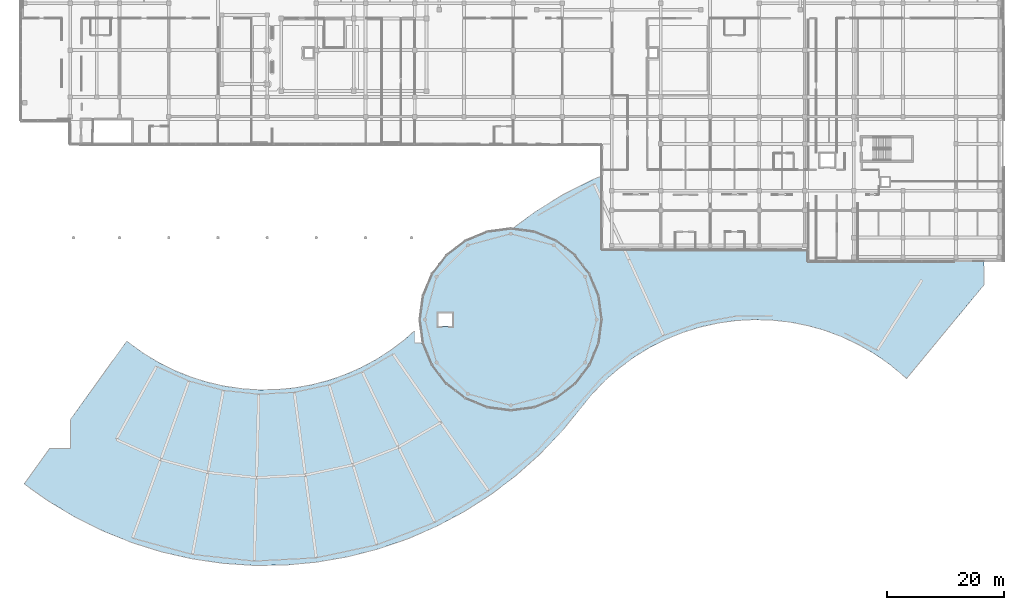
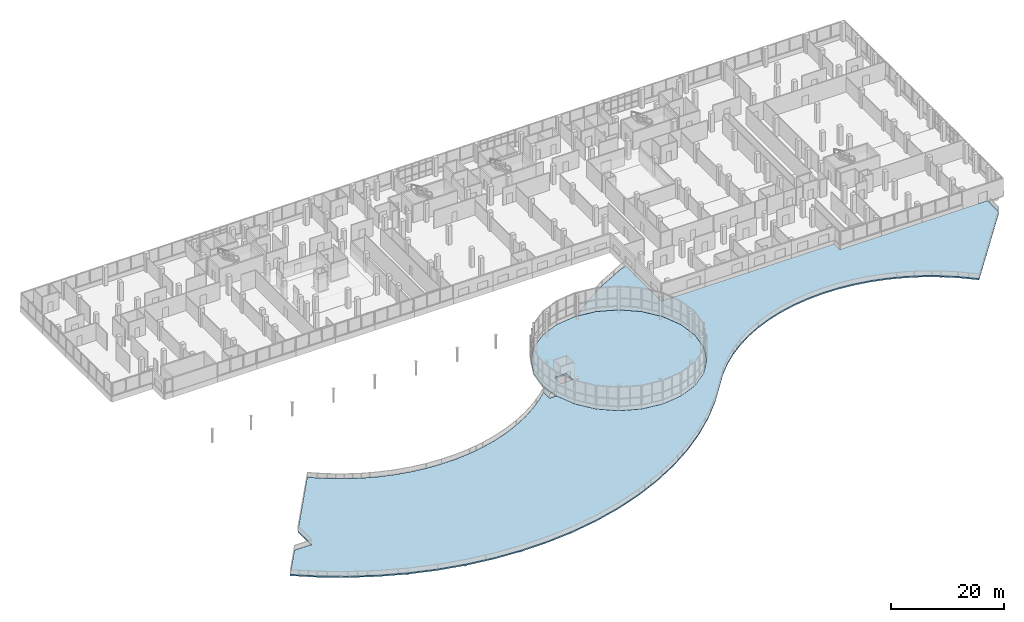
# One storey, part 74 of 101: 2 slabs.
"""IFC4 building model written with IfcOpenShell, lengths in metres."""

from ifc_helpers import new_model, si_unit, direction, frame, origin, place, context, subcontext, project, spatial, polyline, outline, extrude, material, layer, layer_set, type_object, element, save


model = new_model("IFC4")

# Units and contexts
model_context = context("Model", 3, precision=1e-05, world=origin(), true_north=direction((0.0, 1.0)))
body_context = subcontext(model_context, "Body", "Model", "MODEL_VIEW")
ifc_project = project(units=[si_unit("LENGTHUNIT", "METRE"), si_unit("AREAUNIT", "SQUARE_METRE"), si_unit("VOLUMEUNIT", "CUBIC_METRE"), si_unit("PLANEANGLEUNIT", "RADIAN"), si_unit("MASSUNIT", "GRAM", prefix="KILO")], contexts=[model_context])

# Site, building, storey
site_placement = place(None, origin())
site = spatial("IfcSite", under=ifc_project, at=site_placement, CompositionType="ELEMENT")
building_placement = place(site_placement, origin())
building = spatial("IfcBuilding", under=site, at=building_placement, Name="Selatvlak General Hospital", CompositionType="ELEMENT")
storey_placement = place(building_placement, frame((0.0, 0.0, 19.199951171875)))
storey = spatial("IfcBuildingStorey", under=building, at=storey_placement, Name="L04", CompositionType="ELEMENT", Elevation=19.199951171875)

# Slabs
ifc_material = material(Name="Concrete C40/50", Category="concrete")
ifc_layer_1 = layer(ifc_material, 0.304931640625, Name="Concrete C40/50", Category="concrete")
ifc_layer_set_1 = layer_set([ifc_layer_1], Name="Concrete C40/50")
slab_type_1 = type_object("IfcSlabType", Name="SLAB-SL-FL4", PredefinedType="FLOOR", material=ifc_layer_set_1)
slab_1_placement = place(storey_placement, frame((0.0, 0.0, -0.304931640625)))
element("IfcSlab", 1, at=slab_1_placement, inside=storey, type_object=slab_type_1, Name="L04 V1 structural slab", PredefinedType="FLOOR", context=body_context, shape_type="SweptSolid", body=[
    extrude(outline(polyline([(112.971923828125, 49.988037109375), (111.423095703125, 46.25), (108.9599609375, 43.0400390625), (105.75, 40.576904296875), (102.011962890625, 39.028076171875), (98.0, 38.5), (93.988037109375, 39.028076171875), (90.25, 40.576904296875), (87.0400390625, 43.0400390625), (84.576904296875, 46.25), (83.028076171875, 49.988037109375), (82.5, 54.0), (83.028076171875, 58.011962890625), (84.576904296875, 61.75), (87.0400390625, 64.9599609375), (90.25, 67.423095703125), (93.988037109375, 68.971923828125), (98.0, 69.5), (102.011962890625, 68.971923828125), (105.75, 67.423095703125), (108.9599609375, 64.9599609375), (111.423095703125, 61.75), (112.971923828125, 58.011962890625), (113.5, 54.0), (112.971923828125, 49.988037109375)]), holes=[polyline([(88.0, 55.10009765625), (85.60009765625, 55.10009765625), (85.60009765625, 52.89990234375), (88.0, 52.89990234375), (88.0, 55.10009765625)])]), origin(), (0.0, 0.0, 1.0), 0.304931640625),
])
ifc_layer_2 = layer(ifc_material, 0.2900390625, Name="Concrete C40/50", Category="concrete")
ifc_layer_set_2 = layer_set([ifc_layer_2], Name="Concrete C40/50")
slab_type_2 = type_object("IfcSlabType", Name="SLAB-SL-RF4", PredefinedType="ROOF", material=ifc_layer_set_2)
slab_2_placement = place(storey_placement, frame((0.0, 0.0, -0.2900390625)))
element("IfcSlab", 2, at=slab_2_placement, inside=storey, type_object=slab_type_2, Name="L04 roof slab ROOF-V6-TERR-1", PredefinedType="ROOF", context=body_context, shape_type="SweptSolid", body=[
    extrude(outline(polyline([(54.988037109375, 42.012939453125), (57.967041015625, 42.051025390625), (60.93603515625, 42.325927734375), (63.873046875, 42.8359375), (66.763916015625, 43.5791015625), (69.58203125, 44.5458984375), (72.31396484375, 45.735107421875), (74.947021484375, 47.138916015625), (77.4580078125, 48.74609375), (79.83203125, 50.547119140625), (81.4599609375, 52.0), (81.60009765625, 52.0), (81.60009765625, 50.0), (83.01806640625, 50.0), (84.570068359375, 46.2470703125), (87.033935546875, 43.034912109375), (90.2451171875, 40.571044921875), (93.985107421875, 39.02099609375), (97.9990234375, 38.491943359375), (102.012939453125, 39.02001953125), (105.7529296875, 40.570068359375), (108.965087890625, 43.033935546875), (111.428955078125, 46.2451171875), (112.97900390625, 49.985107421875), (113.508056640625, 53.9990234375), (112.97998046875, 58.012939453125), (111.429931640625, 61.7529296875), (108.966064453125, 64.965087890625), (105.7548828125, 67.428955078125), (102.014892578125, 68.97900390625), (98.216064453125, 69.47998046875), (102.152099609375, 72.39111328125), (106.91796875, 75.3369140625), (111.909912109375, 77.876953125), (113.592041015625, 78.56396484375), (113.592041015625, 66.0), (148.7919921875, 65.991943359375), (148.7919921875, 64.0), (178.800048828125, 63.991943359375), (178.800048828125, 59.947998046875), (165.56201171875, 43.9619140625), (162.695068359375, 46.35302734375), (160.14208984375, 48.131103515625), (157.448974609375, 49.693115234375), (154.635009765625, 51.02587890625), (151.722900390625, 52.12109375), (148.73095703125, 52.969970703125), (145.676025390625, 53.568115234375), (142.5810546875, 53.910888671875), (139.468994140625, 53.99609375), (136.364990234375, 53.823974609375), (133.281005859375, 53.39306640625), (130.243896484375, 52.708984375), (127.277099609375, 51.77587890625), (124.39599609375, 50.59912109375), (121.6201171875, 49.18701171875), (118.97412109375, 47.551025390625), (116.471923828125, 45.699951171875), (114.132080078125, 43.64892578125), (111.968994140625, 41.408935546875), (109.6240234375, 38.51904296875), (106.612060546875, 34.837890625), (102.904052734375, 30.9580078125), (98.89990234375, 27.386962890625), (94.6240234375, 24.14208984375), (90.10302734375, 21.2490234375), (85.3701171875, 18.72509765625), (80.447998046875, 16.58203125), (75.3701171875, 14.839111328125), (70.175048828125, 13.506103515625), (64.887939453125, 12.587890625), (59.54296875, 12.093017578125), (54.176025390625, 12.02490234375), (48.822021484375, 12.383056640625), (43.512939453125, 13.1650390625), (38.281982421875, 14.366943359375), (33.1650390625, 15.97998046875), (28.19091796875, 17.9951171875), (23.39306640625, 20.39794921875), (18.799072265625, 23.176025390625), (14.9189453125, 25.951904296875), (19.26904296875, 32.0), (22.800048828125, 32.0), (22.800048828125, 36.907958984375), (32.43701171875, 50.305908203125), (35.3330078125, 48.2080078125), (37.883056640625, 46.666015625), (40.549072265625, 45.3310546875), (43.31298828125, 44.2119140625), (46.157958984375, 43.31494140625), (49.06298828125, 42.64697265625), (52.011962890625, 42.212890625), (54.988037109375, 42.012939453125)])), origin(), (0.0, 0.0, 1.0), 0.2900390625),
])

save(model, "model.ifc")
